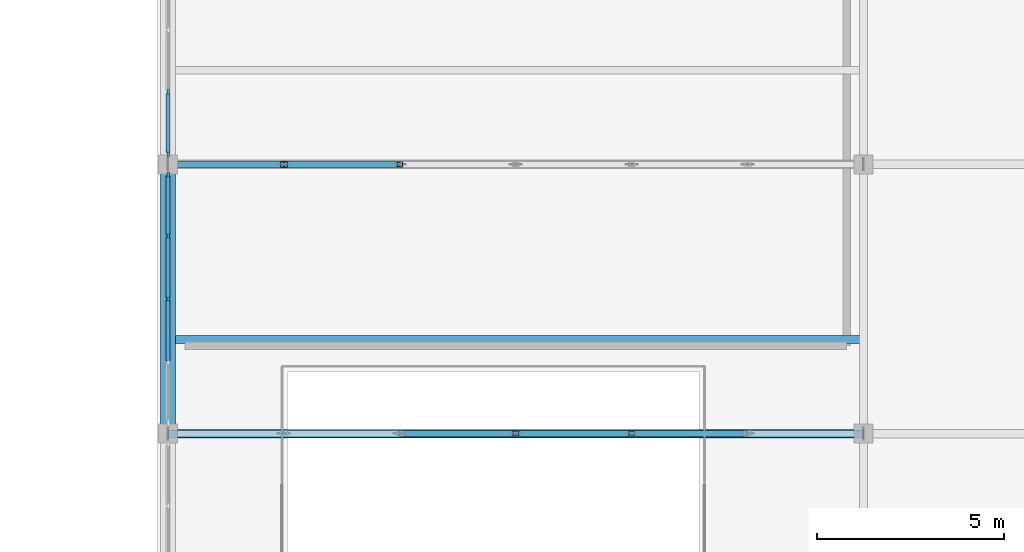
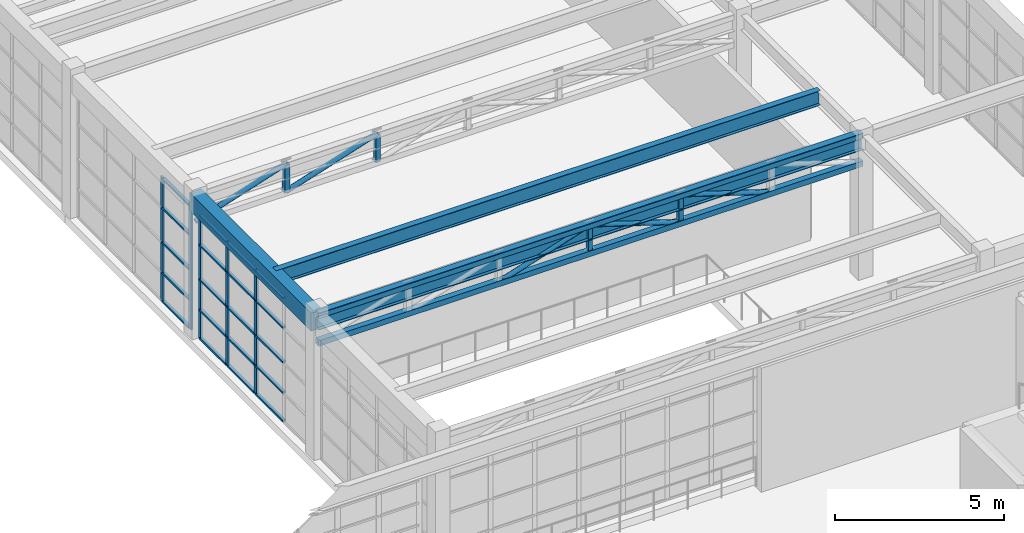
# One storey, part 48 of 103: 36 members, 3 beams, 2 elements without a shape of their own.
"""IFC4 building model written with IfcOpenShell, lengths in metres."""

from ifc_helpers import new_model, si_unit, direction, frame, origin, origin_2d, place, context, subcontext, project, spatial, rectangle, hollow_rectangle, hollow_circle, i_section, extrude, material, layer, layer_set, material_profile, profile_set, type_object, element, aggregate, save


model = new_model("IFC4")

# Units and contexts
model_context = context("Model", 3, precision=1e-05, world=origin(), true_north=direction((0.0, 1.0)))
body_context = subcontext(model_context, "Body", "Model", "MODEL_VIEW")
ifc_project = project(units=[si_unit("LENGTHUNIT", "METRE"), si_unit("AREAUNIT", "SQUARE_METRE"), si_unit("VOLUMEUNIT", "CUBIC_METRE"), si_unit("PLANEANGLEUNIT", "RADIAN"), si_unit("MASSUNIT", "GRAM", prefix="KILO")], contexts=[model_context])

# Site, building, storey
site_placement = place(None, origin())
site = spatial("IfcSite", under=ifc_project, at=site_placement, CompositionType="ELEMENT")
building_placement = place(site_placement, origin())
building = spatial("IfcBuilding", under=site, at=building_placement, Name="Candilejo Ridge Gondola Terminal", CompositionType="ELEMENT")
storey_placement = place(building_placement, frame((0.0, 0.0, 9.0)))
storey = spatial("IfcBuildingStorey", under=building, at=storey_placement, Name="L02", CompositionType="ELEMENT", Elevation=9.0)

# Curtain wall, members
ifc_material_1 = material(Name="Anodised aluminium AA 6063-T6", Category="aluminium")
ifc_layer = layer(ifc_material_1, 0.169921875)
ifc_layer_set = layer_set([ifc_layer], Name="ARC-CW-TOWER-3000-670X449")
curtain_wall_type = type_object("IfcCurtainWallType", Name="ARC-CW-TOWER-3000-670X449", PredefinedType="NOTDEFINED", material=ifc_layer_set)
curtain_wall_1_placement = place(storey_placement, origin())
curtain_wall_1 = element("IfcCurtainWall", 1, at=curtain_wall_1_placement, inside=storey, type_object=curtain_wall_type, Name="Curtain wall V5 L02-176", PredefinedType="NOTDEFINED")
ifc_material_2 = material(Name="Anodised aluminium AA 6063-T6", Category="aluminium")
ifc_material_profile_1 = material_profile(ifc_material_2, rectangle(XDim=0.06494140625, YDim=0.14990234375, at=origin_2d()))
ifc_profile_set_1 = profile_set([ifc_material_profile_1], Name="Anodised aluminium AA 6063-T6")
member_type_1 = type_object("IfcMemberType", Name="ARC-CW-MULLION-150", PredefinedType="MULLION", material=ifc_profile_set_1)
member_1_placement = place(storey_placement, frame((150.0, 59.449951171875, 0.0), z_axis=(0.0, 0.0, 1.0), x_axis=(-1.0, 0.0, 0.0)))
member_1 = element("IfcMember", 2, at=member_1_placement, type_object=member_type_1, Name="CW-67X44 mullion 3", PredefinedType="MULLION", context=body_context, shape_type="SweptSolid", body=[
    extrude(rectangle(XDim=0.06494140625, YDim=0.14990234375, at=origin_2d()), origin(), (0.0, 0.0, 1.0), 4.489990234375),
])
member_2_placement = place(storey_placement, frame((150.0, 61.125, 0.0), z_axis=(0.0, 0.0, 1.0), x_axis=(-1.0, 0.0, 0.0)))
member_2 = element("IfcMember", 3, at=member_2_placement, type_object=member_type_1, Name="CW-67X44 mullion 4", PredefinedType="MULLION", context=body_context, shape_type="SweptSolid", body=[
    extrude(rectangle(XDim=0.06494140625, YDim=0.14990234375, at=origin_2d()), origin(), (0.0, 0.0, 1.0), 4.489990234375),
])
member_3_placement = place(storey_placement, frame((150.0, 62.767578125, 0.0), z_axis=(0.0, 0.0, 1.0), x_axis=(-1.0, 0.0, 0.0)))
member_3 = element("IfcMember", 4, at=member_3_placement, type_object=member_type_1, Name="CW-67X44 mullion 5", PredefinedType="MULLION", context=body_context, shape_type="SweptSolid", body=[
    extrude(rectangle(XDim=0.06494140625, YDim=0.14990234375, at=origin_2d()), origin(), (0.0, 0.0, 1.0), 4.489990234375),
])

curtain_wall_2_placement = place(storey_placement, origin())
curtain_wall_2 = element("IfcCurtainWall", 5, at=curtain_wall_2_placement, inside=storey, type_object=curtain_wall_type, Name="Curtain wall V5 L02-178", PredefinedType="NOTDEFINED")
member_4_placement = place(storey_placement, frame((150.0, 63.33251953125, 0.0), z_axis=(0.0, 0.0, 1.0), x_axis=(-1.0, 0.0, 0.0)))
member_4 = element("IfcMember", 6, at=member_4_placement, type_object=member_type_1, Name="CW-67X44 mullion 1", PredefinedType="MULLION", context=body_context, shape_type="SweptSolid", body=[
    extrude(rectangle(XDim=0.06494140625, YDim=0.14990234375, at=origin_2d()), origin(), (0.0, 0.0, 1.0), 4.489990234375),
])
member_5_placement = place(storey_placement, frame((150.0, 64.97509765625, 0.0), z_axis=(0.0, 0.0, 1.0), x_axis=(-1.0, 0.0, 0.0)))
member_5 = element("IfcMember", 7, at=member_5_placement, type_object=member_type_1, Name="CW-67X44 mullion 2", PredefinedType="MULLION", context=body_context, shape_type="SweptSolid", body=[
    extrude(rectangle(XDim=0.06494140625, YDim=0.14990234375, at=origin_2d()), origin(), (0.0, 0.0, 1.0), 4.489990234375),
])

# Member
ifc_material_3 = material(Name="Anodised aluminium AA 6063-T6", Category="aluminium")
ifc_material_profile_2 = material_profile(ifc_material_3, rectangle(XDim=0.110107421875, YDim=0.06005859375, at=origin_2d()))
ifc_profile_set_2 = profile_set([ifc_material_profile_2], Name="Anodised aluminium AA 6063-T6")
member_type_2 = type_object("IfcMemberType", Name="ARC-CW-TRANSOM-110", PredefinedType="USERDEFINED", material=ifc_profile_set_2)
member_6_placement = place(storey_placement, frame((150.0, 57.8076171875, 0.030029296875), z_axis=(0.0, 1.0, 0.0), x_axis=(-1.0, 0.0, 0.0)))
member_6 = element("IfcMember", 8, at=member_6_placement, type_object=member_type_2, Name="CW-67X44 transom 2.1", ObjectType="TRANSOM", PredefinedType="USERDEFINED", context=body_context, shape_type="SweptSolid", body=[
    extrude(rectangle(XDim=0.110107421875, YDim=0.06005859375, at=origin_2d()), origin(), (0.0, 0.0, 1.0), 1.60986328125),
])

member_7_placement = place(storey_placement, frame((150.0, 57.8076171875, 1.050048828125), z_axis=(0.0, 1.0, 0.0), x_axis=(-1.0, 0.0, 0.0)))
member_7 = element("IfcMember", 9, at=member_7_placement, type_object=member_type_2, Name="CW-67X44 transom 2.2", ObjectType="TRANSOM", PredefinedType="USERDEFINED", context=body_context, shape_type="SweptSolid", body=[
    extrude(rectangle(XDim=0.110107421875, YDim=0.06005859375, at=origin_2d()), origin(), (0.0, 0.0, 1.0), 1.60986328125),
])

member_8_placement = place(storey_placement, frame((150.0, 57.8076171875, 2.14990234375), z_axis=(0.0, 1.0, 0.0), x_axis=(-1.0, 0.0, 0.0)))
member_8 = element("IfcMember", 10, at=member_8_placement, type_object=member_type_2, Name="CW-67X44 transom 2.3", ObjectType="TRANSOM", PredefinedType="USERDEFINED", context=body_context, shape_type="SweptSolid", body=[
    extrude(rectangle(XDim=0.110107421875, YDim=0.06005859375, at=origin_2d()), origin(), (0.0, 0.0, 1.0), 1.60986328125),
])

member_9_placement = place(storey_placement, frame((150.0, 57.8076171875, 3.39990234375), z_axis=(0.0, 1.0, 0.0), x_axis=(-1.0, 0.0, 0.0)))
member_9 = element("IfcMember", 11, at=member_9_placement, type_object=member_type_2, Name="CW-67X44 transom 2.4", ObjectType="TRANSOM", PredefinedType="USERDEFINED", context=body_context, shape_type="SweptSolid", body=[
    extrude(rectangle(XDim=0.110107421875, YDim=0.06005859375, at=origin_2d()), origin(), (0.0, 0.0, 1.0), 1.60986328125),
])

member_10_placement = place(storey_placement, frame((150.0, 57.8076171875, 4.4599609375), z_axis=(0.0, 1.0, 0.0), x_axis=(-1.0, 0.0, 0.0)))
member_10 = element("IfcMember", 12, at=member_10_placement, type_object=member_type_2, Name="CW-67X44 transom 2.5", ObjectType="TRANSOM", PredefinedType="USERDEFINED", context=body_context, shape_type="SweptSolid", body=[
    extrude(rectangle(XDim=0.110107421875, YDim=0.06005859375, at=origin_2d()), origin(), (0.0, 0.0, 1.0), 1.60986328125),
])

member_11_placement = place(storey_placement, frame((150.0, 59.482421875, 0.030029296875), z_axis=(0.0, 1.0, 0.0), x_axis=(-1.0, 0.0, 0.0)))
member_11 = element("IfcMember", 13, at=member_11_placement, type_object=member_type_2, Name="CW-67X44 transom 3.1", ObjectType="TRANSOM", PredefinedType="USERDEFINED", context=body_context, shape_type="SweptSolid", body=[
    extrude(rectangle(XDim=0.110107421875, YDim=0.06005859375, at=origin_2d()), origin(), (0.0, 0.0, 1.0), 1.610107421875),
])

member_12_placement = place(storey_placement, frame((150.0, 59.482421875, 1.050048828125), z_axis=(0.0, 1.0, 0.0), x_axis=(-1.0, 0.0, 0.0)))
member_12 = element("IfcMember", 14, at=member_12_placement, type_object=member_type_2, Name="CW-67X44 transom 3.2", ObjectType="TRANSOM", PredefinedType="USERDEFINED", context=body_context, shape_type="SweptSolid", body=[
    extrude(rectangle(XDim=0.110107421875, YDim=0.06005859375, at=origin_2d()), origin(), (0.0, 0.0, 1.0), 1.610107421875),
])

member_13_placement = place(storey_placement, frame((150.0, 59.482421875, 2.14990234375), z_axis=(0.0, 1.0, 0.0), x_axis=(-1.0, 0.0, 0.0)))
member_13 = element("IfcMember", 15, at=member_13_placement, type_object=member_type_2, Name="CW-67X44 transom 3.3", ObjectType="TRANSOM", PredefinedType="USERDEFINED", context=body_context, shape_type="SweptSolid", body=[
    extrude(rectangle(XDim=0.110107421875, YDim=0.06005859375, at=origin_2d()), origin(), (0.0, 0.0, 1.0), 1.610107421875),
])

member_14_placement = place(storey_placement, frame((150.0, 59.482421875, 3.39990234375), z_axis=(0.0, 1.0, 0.0), x_axis=(-1.0, 0.0, 0.0)))
member_14 = element("IfcMember", 16, at=member_14_placement, type_object=member_type_2, Name="CW-67X44 transom 3.4", ObjectType="TRANSOM", PredefinedType="USERDEFINED", context=body_context, shape_type="SweptSolid", body=[
    extrude(rectangle(XDim=0.110107421875, YDim=0.06005859375, at=origin_2d()), origin(), (0.0, 0.0, 1.0), 1.610107421875),
])

member_15_placement = place(storey_placement, frame((150.0, 59.482421875, 4.4599609375), z_axis=(0.0, 1.0, 0.0), x_axis=(-1.0, 0.0, 0.0)))
member_15 = element("IfcMember", 17, at=member_15_placement, type_object=member_type_2, Name="CW-67X44 transom 3.5", ObjectType="TRANSOM", PredefinedType="USERDEFINED", context=body_context, shape_type="SweptSolid", body=[
    extrude(rectangle(XDim=0.110107421875, YDim=0.06005859375, at=origin_2d()), origin(), (0.0, 0.0, 1.0), 1.610107421875),
])

member_16_placement = place(storey_placement, frame((150.0, 61.157470703125, 0.030029296875), z_axis=(0.0, 1.0, 0.0), x_axis=(-1.0, 0.0, 0.0)))
member_16 = element("IfcMember", 18, at=member_16_placement, type_object=member_type_2, Name="CW-67X44 transom 4.1", ObjectType="TRANSOM", PredefinedType="USERDEFINED", context=body_context, shape_type="SweptSolid", body=[
    extrude(rectangle(XDim=0.110107421875, YDim=0.06005859375, at=origin_2d()), origin(), (0.0, 0.0, 1.0), 1.57763671875),
])

member_17_placement = place(storey_placement, frame((150.0, 61.157470703125, 1.050048828125), z_axis=(0.0, 1.0, 0.0), x_axis=(-1.0, 0.0, 0.0)))
member_17 = element("IfcMember", 19, at=member_17_placement, type_object=member_type_2, Name="CW-67X44 transom 4.2", ObjectType="TRANSOM", PredefinedType="USERDEFINED", context=body_context, shape_type="SweptSolid", body=[
    extrude(rectangle(XDim=0.110107421875, YDim=0.06005859375, at=origin_2d()), origin(), (0.0, 0.0, 1.0), 1.57763671875),
])

member_18_placement = place(storey_placement, frame((150.0, 61.157470703125, 2.14990234375), z_axis=(0.0, 1.0, 0.0), x_axis=(-1.0, 0.0, 0.0)))
member_18 = element("IfcMember", 20, at=member_18_placement, type_object=member_type_2, Name="CW-67X44 transom 4.3", ObjectType="TRANSOM", PredefinedType="USERDEFINED", context=body_context, shape_type="SweptSolid", body=[
    extrude(rectangle(XDim=0.110107421875, YDim=0.06005859375, at=origin_2d()), origin(), (0.0, 0.0, 1.0), 1.57763671875),
])

member_19_placement = place(storey_placement, frame((150.0, 61.157470703125, 3.39990234375), z_axis=(0.0, 1.0, 0.0), x_axis=(-1.0, 0.0, 0.0)))
member_19 = element("IfcMember", 21, at=member_19_placement, type_object=member_type_2, Name="CW-67X44 transom 4.4", ObjectType="TRANSOM", PredefinedType="USERDEFINED", context=body_context, shape_type="SweptSolid", body=[
    extrude(rectangle(XDim=0.110107421875, YDim=0.06005859375, at=origin_2d()), origin(), (0.0, 0.0, 1.0), 1.57763671875),
])

member_20_placement = place(storey_placement, frame((150.0, 61.157470703125, 4.4599609375), z_axis=(0.0, 1.0, 0.0), x_axis=(-1.0, 0.0, 0.0)))
member_20 = element("IfcMember", 22, at=member_20_placement, type_object=member_type_2, Name="CW-67X44 transom 4.5", ObjectType="TRANSOM", PredefinedType="USERDEFINED", context=body_context, shape_type="SweptSolid", body=[
    extrude(rectangle(XDim=0.110107421875, YDim=0.06005859375, at=origin_2d()), origin(), (0.0, 0.0, 1.0), 1.57763671875),
])

aggregate(curtain_wall_1, [member_1, member_2, member_3, member_6, member_7, member_8, member_9, member_10, member_11, member_12, member_13, member_14, member_15, member_16, member_17, member_18, member_19, member_20])

member_21_placement = place(storey_placement, frame((150.0, 63.364990234375, 0.030029296875), z_axis=(0.0, 1.0, 0.0), x_axis=(-1.0, 0.0, 0.0)))
member_21 = element("IfcMember", 23, at=member_21_placement, type_object=member_type_2, Name="CW-67X44 transom 1.1", ObjectType="TRANSOM", PredefinedType="USERDEFINED", context=body_context, shape_type="SweptSolid", body=[
    extrude(rectangle(XDim=0.110107421875, YDim=0.06005859375, at=origin_2d()), origin(), (0.0, 0.0, 1.0), 1.577392578125),
])

member_22_placement = place(storey_placement, frame((150.0, 63.364990234375, 1.050048828125), z_axis=(0.0, 1.0, 0.0), x_axis=(-1.0, 0.0, 0.0)))
member_22 = element("IfcMember", 24, at=member_22_placement, type_object=member_type_2, Name="CW-67X44 transom 1.2", ObjectType="TRANSOM", PredefinedType="USERDEFINED", context=body_context, shape_type="SweptSolid", body=[
    extrude(rectangle(XDim=0.110107421875, YDim=0.06005859375, at=origin_2d()), origin(), (0.0, 0.0, 1.0), 1.577392578125),
])

member_23_placement = place(storey_placement, frame((150.0, 63.364990234375, 2.14990234375), z_axis=(0.0, 1.0, 0.0), x_axis=(-1.0, 0.0, 0.0)))
member_23 = element("IfcMember", 25, at=member_23_placement, type_object=member_type_2, Name="CW-67X44 transom 1.3", ObjectType="TRANSOM", PredefinedType="USERDEFINED", context=body_context, shape_type="SweptSolid", body=[
    extrude(rectangle(XDim=0.110107421875, YDim=0.06005859375, at=origin_2d()), origin(), (0.0, 0.0, 1.0), 1.577392578125),
])

member_24_placement = place(storey_placement, frame((150.0, 63.364990234375, 3.39990234375), z_axis=(0.0, 1.0, 0.0), x_axis=(-1.0, 0.0, 0.0)))
member_24 = element("IfcMember", 26, at=member_24_placement, type_object=member_type_2, Name="CW-67X44 transom 1.4", ObjectType="TRANSOM", PredefinedType="USERDEFINED", context=body_context, shape_type="SweptSolid", body=[
    extrude(rectangle(XDim=0.110107421875, YDim=0.06005859375, at=origin_2d()), origin(), (0.0, 0.0, 1.0), 1.577392578125),
])

member_25_placement = place(storey_placement, frame((150.0, 63.364990234375, 4.4599609375), z_axis=(0.0, 1.0, 0.0), x_axis=(-1.0, 0.0, 0.0)))
member_25 = element("IfcMember", 27, at=member_25_placement, type_object=member_type_2, Name="CW-67X44 transom 1.5", ObjectType="TRANSOM", PredefinedType="USERDEFINED", context=body_context, shape_type="SweptSolid", body=[
    extrude(rectangle(XDim=0.110107421875, YDim=0.06005859375, at=origin_2d()), origin(), (0.0, 0.0, 1.0), 1.577392578125),
])

aggregate(curtain_wall_2, [member_4, member_5, member_21, member_22, member_23, member_24, member_25])

# Beams
ifc_material_4 = material(Name="Steel ASTM A992 Grade 50", Category="steel")
ifc_material_profile_3 = material_profile(ifc_material_4, i_section(OverallWidth=0.208984375, OverallDepth=0.532958984375, WebThickness=0.01025390625, FlangeThickness=0.015625, at=origin_2d()))
ifc_profile_set_3 = profile_set([ifc_material_profile_3], Name="Steel ASTM A992 Grade 50")
beam_type_1 = type_object("IfcBeamType", Name="STR-BM-W530X92", PredefinedType="BEAM", material=ifc_profile_set_3)
beam_1_placement = place(storey_placement, frame((150.0, 58.3701171875, 4.8935546875), z_axis=(1.0, 0.0, 0.0), x_axis=(0.0, 1.0, 0.0)))
element("IfcBeam", 28, at=beam_1_placement, inside=storey, type_object=beam_type_1, Name="Cabin storage runway girder 02", PredefinedType="BEAM", context=body_context, shape_type="SweptSolid", body=[
    extrude(i_section(OverallWidth=0.208984375, OverallDepth=0.532958984375, WebThickness=0.01025390625, FlangeThickness=0.015625, at=origin_2d()), origin(), (0.0, 0.0, 1.0), 18.60009765625),
])
ifc_material_5 = material(Name="Steel ASTM A992 Grade 50", Category="steel")
ifc_material_profile_4 = material_profile(ifc_material_5, i_section(OverallWidth=0.22900390625, OverallDepth=0.612060546875, WebThickness=0.011962890625, FlangeThickness=0.01953125, at=origin_2d()))
ifc_profile_set_4 = profile_set([ifc_material_profile_4], Name="Steel ASTM A992 Grade 50")
beam_type_2 = type_object("IfcBeamType", Name="STR-BM-W610X125", PredefinedType="BEAM", material=ifc_profile_set_4)
beam_2_placement = place(storey_placement, frame((150.0, 55.85009765625, 4.85400390625), z_axis=(1.0, 0.0, 0.0), x_axis=(0.0, 1.0, 0.0)))
element("IfcBeam", 29, at=beam_2_placement, inside=storey, type_object=beam_type_2, Name="Beam X V5 L02 X23-X25@Y11", PredefinedType="BEAM", context=body_context, shape_type="SweptSolid", body=[
    extrude(i_section(OverallWidth=0.22900390625, OverallDepth=0.612060546875, WebThickness=0.011962890625, FlangeThickness=0.01953125, at=origin_2d()), origin(), (0.0, 0.0, 1.0), 18.60009765625),
])

# Members
ifc_material_6 = material(Name="Steel ASTM A500 Grade C", Category="steel")
ifc_material_profile_5 = material_profile(ifc_material_6, hollow_circle(Radius=0.084228515625, WallThickness=0.007080078125, at=origin_2d()))
ifc_profile_set_5 = profile_set([ifc_material_profile_5], Name="Steel ASTM A500 Grade C")
member_type_3 = type_object("IfcMemberType", Name="STR-BRC-CHS168", PredefinedType="BRACE", material=ifc_profile_set_5)
member_26_placement = place(storey_placement, frame((156.199951171875, 55.85009765625, 4.050048828125), z_axis=(0.951711443346, 0.0, 0.306994020471), x_axis=(0.0, 1.0, 0.0)))
element("IfcMember", 30, at=member_26_placement, inside=storey, type_object=member_type_3, Name="Garage truss diagonal 02-03", PredefinedType="BRACE", context=body_context, shape_type="SweptSolid", body=[
    extrude(hollow_circle(Radius=0.084228515625, WallThickness=0.007080078125, at=origin_2d()), origin(), (0.0, 0.0, 1.0), 3.25732421875),
])
member_27_placement = place(storey_placement, frame((162.39990234375, 55.85009765625, 4.050048828125), z_axis=(-0.951704378929, 0.0, 0.307015919989), x_axis=(0.0, -1.0, 0.0)))
element("IfcMember", 31, at=member_27_placement, inside=storey, type_object=member_type_3, Name="Garage truss diagonal 02-04", PredefinedType="BRACE", context=body_context, shape_type="SweptSolid", body=[
    extrude(hollow_circle(Radius=0.084228515625, WallThickness=0.007080078125, at=origin_2d()), origin(), (0.0, 0.0, 1.0), 3.257080078125),
])
for number, where, z_axis, x_axis, name in (
    (32, (165.5, 55.85009765625, 4.050048828125), (-0.951711443346, 0.0, 0.306994020471), (0.0, -1.0, 0.0), "Garage truss diagonal 02-05"),
    (33, (150.0, 63.050048828125, 4.050048828125), (0.951711443346, 0.0, 0.306994020471), (0.0, 1.0, 0.0), "Garage truss diagonal 03-01"),
):
    element("IfcMember", number, at=place(storey_placement, frame(where, z_axis=z_axis, x_axis=x_axis)), inside=storey, type_object=member_type_3, Name=name, PredefinedType="BRACE", context=body_context, shape_type="SweptSolid", body=[
        extrude(hollow_circle(Radius=0.084228515625, WallThickness=0.007080078125, at=origin_2d()), origin(), (0.0, 0.0, 1.0), 3.25732421875),
    ])
member_28_placement = place(storey_placement, frame((153.10009765625, 63.050048828125, 4.050048828125), z_axis=(0.951704378929, 0.0, 0.307015919989), x_axis=(0.0, 1.0, 0.0)))
element("IfcMember", 34, at=member_28_placement, inside=storey, type_object=member_type_3, Name="Garage truss diagonal 03-02", PredefinedType="BRACE", context=body_context, shape_type="SweptSolid", body=[
    extrude(hollow_circle(Radius=0.084228515625, WallThickness=0.007080078125, at=origin_2d()), origin(), (0.0, 0.0, 1.0), 3.257080078125),
])
ifc_material_7 = material(Name="Steel ASTM A500 Grade C", Category="steel")
ifc_material_profile_6 = material_profile(ifc_material_7, hollow_rectangle(XDim=0.199951171875, YDim=0.199951171875, WallThickness=0.008056640625, at=origin_2d()))
ifc_profile_set_6 = profile_set([ifc_material_profile_6], Name="Steel ASTM A500 Grade C")
member_type_4 = type_object("IfcMemberType", Name="STR-CHD-HSS200", PredefinedType="CHORD", material=ifc_profile_set_6)
for number, where, z_axis, x_axis, name in (
    (35, (150.0, 55.85009765625, 4.050048828125), (1.0, 0.0, 0.0), (0.0, 1.0, 0.0), "Garage roof truss bottom chord 02"),
    (36, (150.0, 55.85009765625, 5.050048828125), (1.0, 0.0, 0.0), (0.0, 1.0, 0.0), "Garage roof truss top chord 02"),
):
    element("IfcMember", number, at=place(storey_placement, frame(where, z_axis=z_axis, x_axis=x_axis)), inside=storey, type_object=member_type_4, Name=name, PredefinedType="CHORD", context=body_context, shape_type="SweptSolid", body=[
        extrude(hollow_rectangle(XDim=0.199951171875, YDim=0.199951171875, WallThickness=0.008056640625, at=origin_2d()), origin(), (0.0, 0.0, 1.0), 18.60009765625),
    ])
ifc_material_8 = material(Name="Steel ASTM A500 Grade C", Category="steel")
ifc_material_profile_7 = material_profile(ifc_material_8, hollow_rectangle(XDim=0.14990234375, YDim=0.14990234375, WallThickness=0.00634765625, at=origin_2d()))
ifc_profile_set_7 = profile_set([ifc_material_profile_7], Name="Steel ASTM A500 Grade C")
member_type_5 = type_object("IfcMemberType", Name="STR-PST-HSS150", PredefinedType="POST", material=ifc_profile_set_7)
for number, where, z_axis, x_axis, name in (
    (37, (159.300048828125, 55.85009765625, 4.050048828125), (0.0, 0.0, 1.0), (1.0, 0.0, 0.0), "Garage truss post 02-03"),
    (38, (162.39990234375, 55.85009765625, 4.050048828125), (0.0, 0.0, 1.0), (1.0, 0.0, 0.0), "Garage truss post 02-04"),
    (39, (156.199951171875, 63.050048828125, 4.050048828125), (0.0, 0.0, 1.0), (1.0, 0.0, 0.0), "Garage truss post 03-02"),
):
    element("IfcMember", number, at=place(storey_placement, frame(where, z_axis=z_axis, x_axis=x_axis)), inside=storey, type_object=member_type_5, Name=name, PredefinedType="POST", context=body_context, shape_type="SweptSolid", body=[
        extrude(hollow_rectangle(XDim=0.14990234375, YDim=0.14990234375, WallThickness=0.00634765625, at=origin_2d()), origin(), (0.0, 0.0, 1.0), 1.0),
    ])
ifc_material_9 = material(Name="Steel ASTM A500 Grade C", Category="steel")
ifc_material_profile_8 = material_profile(ifc_material_9, hollow_rectangle(XDim=0.179931640625, YDim=0.179931640625, WallThickness=0.00634765625, at=origin_2d()))
ifc_profile_set_8 = profile_set([ifc_material_profile_8], Name="Steel ASTM A500 Grade C")
member_type_6 = type_object("IfcMemberType", Name="STR-PST-HSS180", PredefinedType="POST", material=ifc_profile_set_8)
member_29_placement = place(storey_placement, frame((153.10009765625, 63.050048828125, 4.050048828125), z_axis=(0.0, 0.0, 1.0), x_axis=(1.0, 0.0, 0.0)))
element("IfcMember", 40, at=member_29_placement, inside=storey, type_object=member_type_6, Name="Garage truss post 03-01", PredefinedType="POST", context=body_context, shape_type="SweptSolid", body=[
    extrude(hollow_rectangle(XDim=0.179931640625, YDim=0.179931640625, WallThickness=0.00634765625, at=origin_2d()), origin(), (0.0, 0.0, 1.0), 1.0),
])

# Beam
ifc_material_10 = material(Name="Concrete f'c 35 MPa (C35/45)", Category="concrete")
ifc_material_profile_9 = material_profile(ifc_material_10, rectangle(XDim=0.39990234375, YDim=0.64990234375, at=origin_2d()))
ifc_profile_set_9 = profile_set([ifc_material_profile_9], Name="Concrete f'c 35 MPa (C35/45)")
beam_type_3 = type_object("IfcBeamType", Name="STR-SPN-RC400X650", PredefinedType="SPANDREL", material=ifc_profile_set_9)
beam_3_placement = place(storey_placement, frame((150.0, 55.85009765625, 4.8349609375), z_axis=(0.0, 1.0, 0.0), x_axis=(-1.0, 0.0, 0.0)))
element("IfcBeam", 41, at=beam_3_placement, inside=storey, type_object=beam_type_3, Name="Beam Y V5 L02 Y11-Y12@X23", PredefinedType="SPANDREL", context=body_context, shape_type="SweptSolid", body=[
    extrude(rectangle(XDim=0.39990234375, YDim=0.64990234375, at=origin_2d()), origin(), (0.0, 0.0, 1.0), 7.199951171875),
])

save(model, "model.ifc")
